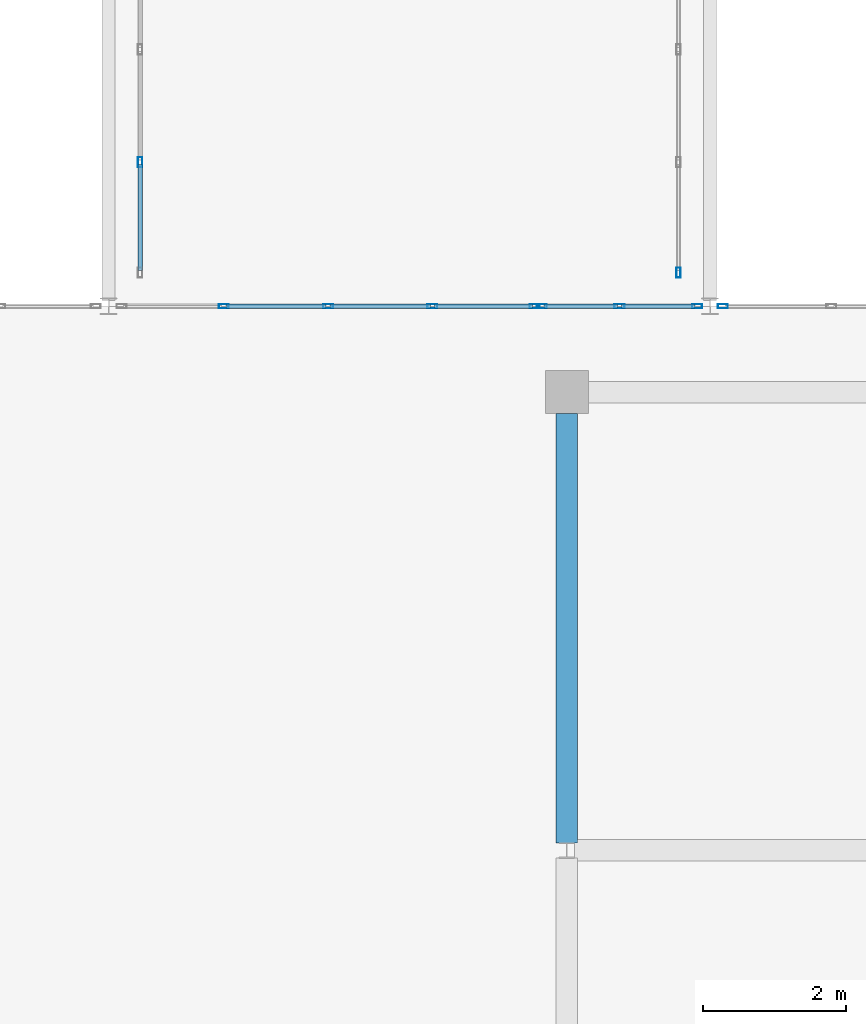
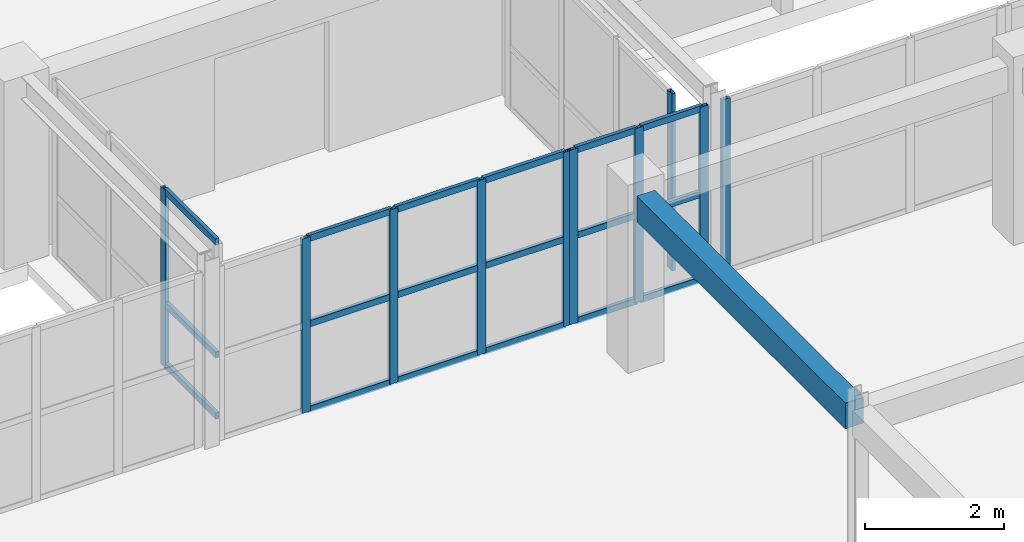
# One storey, part 115 of 200: 28 members, 1 beam, 5 elements without a shape of their own.
"""IFC4 building model written with IfcOpenShell, lengths in metres."""

from ifc_helpers import new_model, si_unit, direction, frame, origin, origin_2d, place, context, subcontext, project, spatial, rectangle, hollow_rectangle, extrude, material, layer, layer_set, material_profile, profile_set, type_object, element, aggregate, save


model = new_model("IFC4")

# Units and contexts
model_context = context("Model", 3, precision=1e-05, world=origin(), true_north=direction((0.0, 1.0)))
body_context = subcontext(model_context, "Body", "Model", "MODEL_VIEW")
ifc_project = project(units=[si_unit("LENGTHUNIT", "METRE"), si_unit("AREAUNIT", "SQUARE_METRE"), si_unit("VOLUMEUNIT", "CUBIC_METRE"), si_unit("PLANEANGLEUNIT", "RADIAN"), si_unit("MASSUNIT", "GRAM", prefix="KILO")], contexts=[model_context])

# Site, building, storey
site_placement = place(None, origin())
site = spatial("IfcSite", under=ifc_project, at=site_placement, CompositionType="ELEMENT")
building_placement = place(site_placement, origin())
building = spatial("IfcBuilding", under=site, at=building_placement, Name="Trelvath General Hospital", CompositionType="ELEMENT")
storey_placement = place(building_placement, frame((0.0, 0.0, 4.800048828125)))
storey = spatial("IfcBuildingStorey", under=building, at=storey_placement, Name="L01", CompositionType="ELEMENT", Elevation=4.800048828125)

# Beam
ifc_material_1 = material(Name="Concrete C35/45", Category="concrete")
ifc_material_profile_1 = material_profile(ifc_material_1, rectangle(XDim=0.300048828125, YDim=0.449951171875, at=origin_2d()), Name="RCB300x450")
ifc_profile_set_1 = profile_set([ifc_material_profile_1], Name="Concrete C35/45")
beam_type = type_object("IfcBeamType", Name="Beam RC300x450", PredefinedType="BEAM", material=ifc_profile_set_1)
beam_placement = place(storey_placement, frame((107.199951171875, 79.305908203125, 2.8349609375), z_axis=(0.0, 1.0, 0.0), x_axis=(-1.0, 0.0, 0.0)))
element("IfcBeam", 1, at=beam_placement, inside=storey, type_object=beam_type, Name="Cube Interior Ring Beam CUBE-E-T0 L01", PredefinedType="BEAM", context=body_context, shape_type="SweptSolid", body=[
    extrude(rectangle(XDim=0.300048828125, YDim=0.449951171875, at=origin_2d()), origin(), (0.0, 0.0, 1.0), 5.998046875),
])

# Curtain wall, members
ifc_material_2 = material(Name="Anodised aluminium and low-E glass", Category="aluminium")
ifc_layer_1 = layer(ifc_material_2, 0.14990234375)
ifc_layer_set_1 = layer_set([ifc_layer_1], Name="Anodised aluminium and low-E glass")
curtain_wall_type_1 = type_object("IfcCurtainWallType", Name="CW CrystalCube 583 306 15", PredefinedType="USERDEFINED", material=ifc_layer_set_1)
curtain_wall_1_placement = place(storey_placement, origin())
curtain_wall_1 = element("IfcCurtainWall", 2, at=curtain_wall_1_placement, inside=storey, type_object=curtain_wall_type_1, Name="Crystal Cube Curtain Wall CUBE-E-T0 N2 L01", ObjectType="Unitised Glazed Curtain Wall", PredefinedType="USERDEFINED")
ifc_material_3 = material(Name="Anodised aluminium", Category="aluminium")
ifc_material_profile_2 = material_profile(ifc_material_3, hollow_rectangle(XDim=0.06005859375, YDim=0.139892578125, WallThickness=0.00390625, at=origin_2d()), Name="RHS60x140x4")
ifc_profile_set_2 = profile_set([ifc_material_profile_2], Name="Anodised aluminium")
member_type_1 = type_object("IfcMemberType", Name="CurtainMullion 60x140", PredefinedType="MULLION", material=ifc_profile_set_2)
member_1_placement = place(storey_placement, frame((102.407470703125, 86.800048828125, 0.0), z_axis=(0.0, 0.0, 1.0), x_axis=(0.0, 1.0, 0.0)))
member_1 = element("IfcMember", 3, at=member_1_placement, type_object=member_type_1, Name="CW-156 mullion 2", PredefinedType="MULLION", context=body_context, shape_type="SweptSolid", body=[
    extrude(hollow_rectangle(XDim=0.06005859375, YDim=0.139892578125, WallThickness=0.00390625, at=origin_2d()), origin(), (0.0, 0.0, 1.0), 3.06005859375),
])
member_2_placement = place(storey_placement, frame((103.864990234375, 86.800048828125, 0.0), z_axis=(0.0, 0.0, 1.0), x_axis=(0.0, 1.0, 0.0)))
member_2 = element("IfcMember", 4, at=member_2_placement, type_object=member_type_1, Name="CW-156 mullion 3", PredefinedType="MULLION", context=body_context, shape_type="SweptSolid", body=[
    extrude(hollow_rectangle(XDim=0.06005859375, YDim=0.139892578125, WallThickness=0.00390625, at=origin_2d()), origin(), (0.0, 0.0, 1.0), 3.06005859375),
])
member_3_placement = place(storey_placement, frame((105.322509765625, 86.800048828125, 0.0), z_axis=(0.0, 0.0, 1.0), x_axis=(0.0, 1.0, 0.0)))
member_3 = element("IfcMember", 5, at=member_3_placement, type_object=member_type_1, Name="CW-156 mullion 4", PredefinedType="MULLION", context=body_context, shape_type="SweptSolid", body=[
    extrude(hollow_rectangle(XDim=0.06005859375, YDim=0.139892578125, WallThickness=0.00390625, at=origin_2d()), origin(), (0.0, 0.0, 1.0), 3.06005859375),
])
member_4_placement = place(storey_placement, frame((106.75, 86.800048828125, 0.0), z_axis=(0.0, 0.0, 1.0), x_axis=(0.0, 1.0, 0.0)))
member_4 = element("IfcMember", 6, at=member_4_placement, type_object=member_type_1, Name="CW-156 mullion 5", PredefinedType="MULLION", context=body_context, shape_type="SweptSolid", body=[
    extrude(hollow_rectangle(XDim=0.06005859375, YDim=0.139892578125, WallThickness=0.00390625, at=origin_2d()), origin(), (0.0, 0.0, 1.0), 3.06005859375),
])

ifc_material_4 = material(Name="Anodised aluminium and low-E glass", Category="aluminium")
ifc_layer_2 = layer(ifc_material_4, 0.14990234375)
ifc_layer_set_2 = layer_set([ifc_layer_2], Name="Anodised aluminium and low-E glass")
curtain_wall_type_2 = type_object("IfcCurtainWallType", Name="CW CrystalCube 223 306 15", PredefinedType="USERDEFINED", material=ifc_layer_set_2)
curtain_wall_2_placement = place(storey_placement, origin())
curtain_wall_2 = element("IfcCurtainWall", 7, at=curtain_wall_2_placement, inside=storey, type_object=curtain_wall_type_2, Name="Crystal Cube Curtain Wall CUBE-E-T0 N3 L01", ObjectType="Unitised Glazed Curtain Wall", PredefinedType="USERDEFINED")
member_5_placement = place(storey_placement, frame((106.85009765625, 86.800048828125, 0.0), z_axis=(0.0, 0.0, 1.0), x_axis=(0.0, 1.0, 0.0)))
member_5 = element("IfcMember", 8, at=member_5_placement, type_object=member_type_1, Name="CW-157 mullion 1", PredefinedType="MULLION", context=body_context, shape_type="SweptSolid", body=[
    extrude(hollow_rectangle(XDim=0.06005859375, YDim=0.139892578125, WallThickness=0.00390625, at=origin_2d()), origin(), (0.0, 0.0, 1.0), 3.06005859375),
])
member_6_placement = place(storey_placement, frame((107.93505859375, 86.800048828125, 0.0), z_axis=(0.0, 0.0, 1.0), x_axis=(0.0, 1.0, 0.0)))
member_6 = element("IfcMember", 9, at=member_6_placement, type_object=member_type_1, Name="CW-157 mullion 2", PredefinedType="MULLION", context=body_context, shape_type="SweptSolid", body=[
    extrude(hollow_rectangle(XDim=0.06005859375, YDim=0.139892578125, WallThickness=0.00390625, at=origin_2d()), origin(), (0.0, 0.0, 1.0), 3.06005859375),
])
member_7_placement = place(storey_placement, frame((109.02001953125, 86.800048828125, 0.0), z_axis=(0.0, 0.0, 1.0), x_axis=(0.0, 1.0, 0.0)))
member_7 = element("IfcMember", 10, at=member_7_placement, type_object=member_type_1, Name="CW-157 mullion 3", PredefinedType="MULLION", context=body_context, shape_type="SweptSolid", body=[
    extrude(hollow_rectangle(XDim=0.06005859375, YDim=0.139892578125, WallThickness=0.00390625, at=origin_2d()), origin(), (0.0, 0.0, 1.0), 3.06005859375),
])

# Curtain wall, member
ifc_material_5 = material(Name="Anodised aluminium and low-E glass", Category="aluminium")
ifc_layer_3 = layer(ifc_material_5, 0.14990234375)
ifc_layer_set_3 = layer_set([ifc_layer_3], Name="Anodised aluminium and low-E glass")
curtain_wall_type_3 = type_object("IfcCurtainWallType", Name="CW CrystalCube 463 306 15", PredefinedType="USERDEFINED", material=ifc_layer_set_3)
curtain_wall_3_placement = place(storey_placement, origin())
curtain_wall_3 = element("IfcCurtainWall", 11, at=curtain_wall_3_placement, inside=storey, type_object=curtain_wall_type_3, Name="Crystal Cube Curtain Wall CUBE-E-T0 N4 L01", ObjectType="Unitised Glazed Curtain Wall", PredefinedType="USERDEFINED")
member_8_placement = place(storey_placement, frame((109.3798828125, 86.800048828125, 0.0), z_axis=(0.0, 0.0, 1.0), x_axis=(0.0, 1.0, 0.0)))
member_8 = element("IfcMember", 12, at=member_8_placement, type_object=member_type_1, Name="CW-158 mullion 1", PredefinedType="MULLION", context=body_context, shape_type="SweptSolid", body=[
    extrude(hollow_rectangle(XDim=0.06005859375, YDim=0.139892578125, WallThickness=0.00390625, at=origin_2d()), origin(), (0.0, 0.0, 1.0), 3.06005859375),
])
aggregate(curtain_wall_3, [member_8])

ifc_material_6 = material(Name="Anodised aluminium and low-E glass", Category="aluminium")
ifc_layer_4 = layer(ifc_material_6, 0.139892578125)
ifc_layer_set_4 = layer_set([ifc_layer_4], Name="Anodised aluminium and low-E glass")
curtain_wall_type_4 = type_object("IfcCurtainWallType", Name="CW Bridge 472 311", PredefinedType="USERDEFINED", material=ifc_layer_set_4)
curtain_wall_4_placement = place(storey_placement, origin())
curtain_wall_4 = element("IfcCurtainWall", 13, at=curtain_wall_4_placement, inside=storey, type_object=curtain_wall_type_4, Name="Glazed Bridge Curtain Wall BRG-N-E W L01", ObjectType="Unitised Glazed Curtain Wall", PredefinedType="USERDEFINED")
member_9_placement = place(storey_placement, frame((101.239990234375, 88.813232421875, 0.0), z_axis=(0.0, 0.0, 1.0), x_axis=(-1.0, 0.0, 0.0)))
member_9 = element("IfcMember", 14, at=member_9_placement, type_object=member_type_1, Name="CW-186 mullion 2", PredefinedType="MULLION", context=body_context, shape_type="SweptSolid", body=[
    extrude(hollow_rectangle(XDim=0.06005859375, YDim=0.139892578125, WallThickness=0.00390625, at=origin_2d()), origin(), (0.0, 0.0, 1.0), 3.10986328125),
])

curtain_wall_5_placement = place(storey_placement, origin())
curtain_wall_5 = element("IfcCurtainWall", 15, at=curtain_wall_5_placement, inside=storey, type_object=curtain_wall_type_4, Name="Glazed Bridge Curtain Wall BRG-N-E E L01", ObjectType="Unitised Glazed Curtain Wall", PredefinedType="USERDEFINED")
member_10_placement = place(storey_placement, frame((108.760009765625, 87.27001953125, 0.0), z_axis=(0.0, 0.0, 1.0), x_axis=(1.0, 0.0, 0.0)))
member_10 = element("IfcMember", 16, at=member_10_placement, type_object=member_type_1, Name="CW-187 mullion 4", PredefinedType="MULLION", context=body_context, shape_type="SweptSolid", body=[
    extrude(hollow_rectangle(XDim=0.06005859375, YDim=0.139892578125, WallThickness=0.00390625, at=origin_2d()), origin(), (0.0, 0.0, 1.0), 3.10986328125),
])
aggregate(curtain_wall_5, [member_10])

# Member
ifc_material_7 = material(Name="Anodised aluminium", Category="aluminium")
ifc_material_profile_3 = material_profile(ifc_material_7, hollow_rectangle(XDim=0.06005859375, YDim=0.110107421875, WallThickness=0.00390625, at=origin_2d()), Name="RHS60x110x4")
ifc_profile_set_3 = profile_set([ifc_material_profile_3], Name="Anodised aluminium")
member_type_2 = type_object("IfcMemberType", Name="CurtainTransom 60x110", PredefinedType="USERDEFINED", material=ifc_profile_set_3)
member_11_placement = place(storey_placement, frame((102.4375, 86.800048828125, 0.030029296875), z_axis=(1.0, 0.0, 0.0), x_axis=(0.0, 1.0, 0.0)))
member_11 = element("IfcMember", 17, at=member_11_placement, type_object=member_type_2, Name="CW-156 transom 2.1", ObjectType="TRANSOM", PredefinedType="USERDEFINED", context=body_context, shape_type="SweptSolid", body=[
    extrude(hollow_rectangle(XDim=0.06005859375, YDim=0.110107421875, WallThickness=0.00390625, at=origin_2d()), origin(), (0.0, 0.0, 1.0), 1.3974609375),
])

member_12_placement = place(storey_placement, frame((102.4375, 86.800048828125, 1.530029296875), z_axis=(1.0, 0.0, 0.0), x_axis=(0.0, 1.0, 0.0)))
member_12 = element("IfcMember", 18, at=member_12_placement, type_object=member_type_2, Name="CW-156 transom 2.2", ObjectType="TRANSOM", PredefinedType="USERDEFINED", context=body_context, shape_type="SweptSolid", body=[
    extrude(hollow_rectangle(XDim=0.06005859375, YDim=0.110107421875, WallThickness=0.00390625, at=origin_2d()), origin(), (0.0, 0.0, 1.0), 1.3974609375),
])

member_13_placement = place(storey_placement, frame((102.4375, 86.800048828125, 3.030029296875), z_axis=(1.0, 0.0, 0.0), x_axis=(0.0, 1.0, 0.0)))
member_13 = element("IfcMember", 19, at=member_13_placement, type_object=member_type_2, Name="CW-156 transom 2.3", ObjectType="TRANSOM", PredefinedType="USERDEFINED", context=body_context, shape_type="SweptSolid", body=[
    extrude(hollow_rectangle(XDim=0.06005859375, YDim=0.110107421875, WallThickness=0.00390625, at=origin_2d()), origin(), (0.0, 0.0, 1.0), 1.3974609375),
])

member_14_placement = place(storey_placement, frame((103.89501953125, 86.800048828125, 0.030029296875), z_axis=(1.0, 0.0, 0.0), x_axis=(0.0, 1.0, 0.0)))
member_14 = element("IfcMember", 20, at=member_14_placement, type_object=member_type_2, Name="CW-156 transom 3.1", ObjectType="TRANSOM", PredefinedType="USERDEFINED", context=body_context, shape_type="SweptSolid", body=[
    extrude(hollow_rectangle(XDim=0.06005859375, YDim=0.110107421875, WallThickness=0.00390625, at=origin_2d()), origin(), (0.0, 0.0, 1.0), 1.3974609375),
])

member_15_placement = place(storey_placement, frame((103.89501953125, 86.800048828125, 1.530029296875), z_axis=(1.0, 0.0, 0.0), x_axis=(0.0, 1.0, 0.0)))
member_15 = element("IfcMember", 21, at=member_15_placement, type_object=member_type_2, Name="CW-156 transom 3.2", ObjectType="TRANSOM", PredefinedType="USERDEFINED", context=body_context, shape_type="SweptSolid", body=[
    extrude(hollow_rectangle(XDim=0.06005859375, YDim=0.110107421875, WallThickness=0.00390625, at=origin_2d()), origin(), (0.0, 0.0, 1.0), 1.3974609375),
])

member_16_placement = place(storey_placement, frame((103.89501953125, 86.800048828125, 3.030029296875), z_axis=(1.0, 0.0, 0.0), x_axis=(0.0, 1.0, 0.0)))
member_16 = element("IfcMember", 22, at=member_16_placement, type_object=member_type_2, Name="CW-156 transom 3.3", ObjectType="TRANSOM", PredefinedType="USERDEFINED", context=body_context, shape_type="SweptSolid", body=[
    extrude(hollow_rectangle(XDim=0.06005859375, YDim=0.110107421875, WallThickness=0.00390625, at=origin_2d()), origin(), (0.0, 0.0, 1.0), 1.3974609375),
])

member_17_placement = place(storey_placement, frame((105.3525390625, 86.800048828125, 0.030029296875), z_axis=(1.0, 0.0, 0.0), x_axis=(0.0, 1.0, 0.0)))
member_17 = element("IfcMember", 23, at=member_17_placement, type_object=member_type_2, Name="CW-156 transom 4.1", ObjectType="TRANSOM", PredefinedType="USERDEFINED", context=body_context, shape_type="SweptSolid", body=[
    extrude(hollow_rectangle(XDim=0.06005859375, YDim=0.110107421875, WallThickness=0.00390625, at=origin_2d()), origin(), (0.0, 0.0, 1.0), 1.367431640625),
])

member_18_placement = place(storey_placement, frame((105.3525390625, 86.800048828125, 1.530029296875), z_axis=(1.0, 0.0, 0.0), x_axis=(0.0, 1.0, 0.0)))
member_18 = element("IfcMember", 24, at=member_18_placement, type_object=member_type_2, Name="CW-156 transom 4.2", ObjectType="TRANSOM", PredefinedType="USERDEFINED", context=body_context, shape_type="SweptSolid", body=[
    extrude(hollow_rectangle(XDim=0.06005859375, YDim=0.110107421875, WallThickness=0.00390625, at=origin_2d()), origin(), (0.0, 0.0, 1.0), 1.367431640625),
])

member_19_placement = place(storey_placement, frame((105.3525390625, 86.800048828125, 3.030029296875), z_axis=(1.0, 0.0, 0.0), x_axis=(0.0, 1.0, 0.0)))
member_19 = element("IfcMember", 25, at=member_19_placement, type_object=member_type_2, Name="CW-156 transom 4.3", ObjectType="TRANSOM", PredefinedType="USERDEFINED", context=body_context, shape_type="SweptSolid", body=[
    extrude(hollow_rectangle(XDim=0.06005859375, YDim=0.110107421875, WallThickness=0.00390625, at=origin_2d()), origin(), (0.0, 0.0, 1.0), 1.367431640625),
])

aggregate(curtain_wall_1, [member_1, member_2, member_3, member_4, member_11, member_12, member_13, member_14, member_15, member_16, member_17, member_18, member_19])

member_20_placement = place(storey_placement, frame((106.8798828125, 86.800048828125, 0.030029296875), z_axis=(1.0, 0.0, 0.0), x_axis=(0.0, 1.0, 0.0)))
member_20 = element("IfcMember", 26, at=member_20_placement, type_object=member_type_2, Name="CW-157 transom 1.1", ObjectType="TRANSOM", PredefinedType="USERDEFINED", context=body_context, shape_type="SweptSolid", body=[
    extrude(hollow_rectangle(XDim=0.06005859375, YDim=0.110107421875, WallThickness=0.00390625, at=origin_2d()), origin(), (0.0, 0.0, 1.0), 1.025146484375),
])

member_21_placement = place(storey_placement, frame((106.8798828125, 86.800048828125, 1.530029296875), z_axis=(1.0, 0.0, 0.0), x_axis=(0.0, 1.0, 0.0)))
member_21 = element("IfcMember", 27, at=member_21_placement, type_object=member_type_2, Name="CW-157 transom 1.2", ObjectType="TRANSOM", PredefinedType="USERDEFINED", context=body_context, shape_type="SweptSolid", body=[
    extrude(hollow_rectangle(XDim=0.06005859375, YDim=0.110107421875, WallThickness=0.00390625, at=origin_2d()), origin(), (0.0, 0.0, 1.0), 1.025146484375),
])

member_22_placement = place(storey_placement, frame((106.8798828125, 86.800048828125, 3.030029296875), z_axis=(1.0, 0.0, 0.0), x_axis=(0.0, 1.0, 0.0)))
member_22 = element("IfcMember", 28, at=member_22_placement, type_object=member_type_2, Name="CW-157 transom 1.3", ObjectType="TRANSOM", PredefinedType="USERDEFINED", context=body_context, shape_type="SweptSolid", body=[
    extrude(hollow_rectangle(XDim=0.06005859375, YDim=0.110107421875, WallThickness=0.00390625, at=origin_2d()), origin(), (0.0, 0.0, 1.0), 1.025146484375),
])

member_23_placement = place(storey_placement, frame((107.965087890625, 86.800048828125, 0.030029296875), z_axis=(1.0, 0.0, 0.0), x_axis=(0.0, 1.0, 0.0)))
member_23 = element("IfcMember", 29, at=member_23_placement, type_object=member_type_2, Name="CW-157 transom 2.1", ObjectType="TRANSOM", PredefinedType="USERDEFINED", context=body_context, shape_type="SweptSolid", body=[
    extrude(hollow_rectangle(XDim=0.06005859375, YDim=0.110107421875, WallThickness=0.00390625, at=origin_2d()), origin(), (0.0, 0.0, 1.0), 1.02490234375),
])

member_24_placement = place(storey_placement, frame((107.965087890625, 86.800048828125, 1.530029296875), z_axis=(1.0, 0.0, 0.0), x_axis=(0.0, 1.0, 0.0)))
member_24 = element("IfcMember", 30, at=member_24_placement, type_object=member_type_2, Name="CW-157 transom 2.2", ObjectType="TRANSOM", PredefinedType="USERDEFINED", context=body_context, shape_type="SweptSolid", body=[
    extrude(hollow_rectangle(XDim=0.06005859375, YDim=0.110107421875, WallThickness=0.00390625, at=origin_2d()), origin(), (0.0, 0.0, 1.0), 1.02490234375),
])

member_25_placement = place(storey_placement, frame((107.965087890625, 86.800048828125, 3.030029296875), z_axis=(1.0, 0.0, 0.0), x_axis=(0.0, 1.0, 0.0)))
member_25 = element("IfcMember", 31, at=member_25_placement, type_object=member_type_2, Name="CW-157 transom 2.3", ObjectType="TRANSOM", PredefinedType="USERDEFINED", context=body_context, shape_type="SweptSolid", body=[
    extrude(hollow_rectangle(XDim=0.06005859375, YDim=0.110107421875, WallThickness=0.00390625, at=origin_2d()), origin(), (0.0, 0.0, 1.0), 1.02490234375),
])

aggregate(curtain_wall_2, [member_5, member_6, member_7, member_20, member_21, member_22, member_23, member_24, member_25])

member_26_placement = place(storey_placement, frame((101.239990234375, 87.300048828125, 0.030029296875), z_axis=(0.0, 1.0, 0.0), x_axis=(-1.0, 0.0, 0.0)))
member_26 = element("IfcMember", 32, at=member_26_placement, type_object=member_type_2, Name="CW-186 transom 1.1", ObjectType="TRANSOM", PredefinedType="USERDEFINED", context=body_context, shape_type="SweptSolid", body=[
    extrude(hollow_rectangle(XDim=0.06005859375, YDim=0.110107421875, WallThickness=0.00390625, at=origin_2d()), origin(), (0.0, 0.0, 1.0), 1.4833984375),
])

member_27_placement = place(storey_placement, frame((101.239990234375, 87.300048828125, 1.099853515625), z_axis=(0.0, 1.0, 0.0), x_axis=(-1.0, 0.0, 0.0)))
member_27 = element("IfcMember", 33, at=member_27_placement, type_object=member_type_2, Name="CW-186 transom 1.2", ObjectType="TRANSOM", PredefinedType="USERDEFINED", context=body_context, shape_type="SweptSolid", body=[
    extrude(hollow_rectangle(XDim=0.06005859375, YDim=0.110107421875, WallThickness=0.00390625, at=origin_2d()), origin(), (0.0, 0.0, 1.0), 1.4833984375),
])

member_28_placement = place(storey_placement, frame((101.239990234375, 87.300048828125, 3.079833984375), z_axis=(0.0, 1.0, 0.0), x_axis=(-1.0, 0.0, 0.0)))
member_28 = element("IfcMember", 34, at=member_28_placement, type_object=member_type_2, Name="CW-186 transom 1.3", ObjectType="TRANSOM", PredefinedType="USERDEFINED", context=body_context, shape_type="SweptSolid", body=[
    extrude(hollow_rectangle(XDim=0.06005859375, YDim=0.110107421875, WallThickness=0.00390625, at=origin_2d()), origin(), (0.0, 0.0, 1.0), 1.4833984375),
])

aggregate(curtain_wall_4, [member_9, member_26, member_27, member_28])

save(model, "model.ifc")
